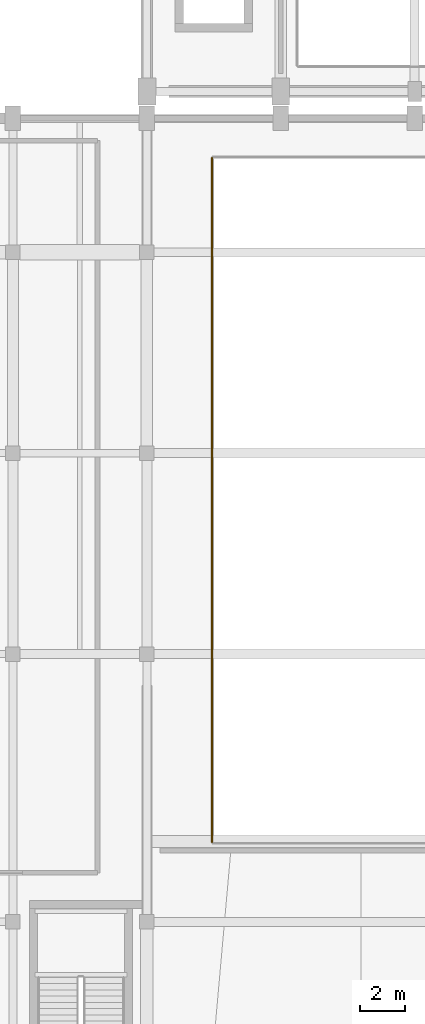
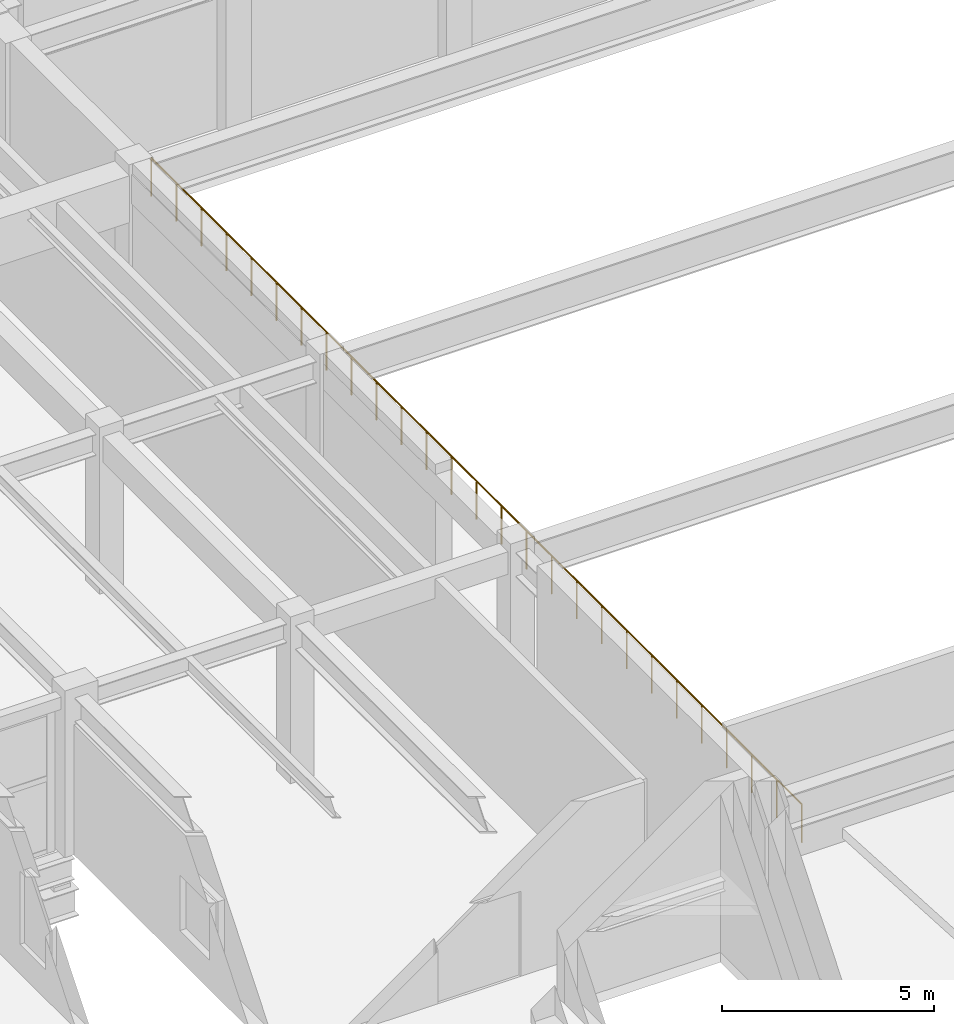
# One storey, part 78 of 85: 1 railing.
"""IFC4 building model written with IfcOpenShell, lengths in metres."""

from ifc_helpers import new_model, si_unit, direction, frame, origin, origin_2d, place, context, subcontext, project, spatial, circle, extrude, material, type_object, element, save


model = new_model("IFC4")

# Units and contexts
model_context = context("Model", 3, precision=1e-05, world=origin(), true_north=direction((0.0, 1.0)))
body_context = subcontext(model_context, "Body", "Model", "MODEL_VIEW")
ifc_project = project(units=[si_unit("LENGTHUNIT", "METRE"), si_unit("AREAUNIT", "SQUARE_METRE"), si_unit("VOLUMEUNIT", "CUBIC_METRE"), si_unit("PLANEANGLEUNIT", "RADIAN"), si_unit("MASSUNIT", "GRAM", prefix="KILO")], contexts=[model_context])

# Site, building, storey
site_placement = place(None, origin())
site = spatial("IfcSite", under=ifc_project, at=site_placement, CompositionType="ELEMENT")
building_placement = place(site_placement, origin())
building = spatial("IfcBuilding", under=site, at=building_placement, Name="Vaelkrest Opera House", CompositionType="ELEMENT")
storey_placement = place(building_placement, frame((0.0, 0.0, 10.199951171875)))
storey = spatial("IfcBuildingStorey", under=building, at=storey_placement, Name="L02", CompositionType="ELEMENT", Elevation=10.199951171875)

# Railing
ifc_material = material(Name="Dark bronze anodized aluminium", Category="aluminium")
railing_type = type_object("IfcRailingType", Name="BL01", PredefinedType="BALUSTRADE", material=ifc_material)
railing_placement = place(storey_placement, frame((-15.080078125, 14.43994140625, 0.0)))
element("IfcRailing", 1, at=railing_placement, inside=storey, type_object=railing_type, Name="Atrium/stage void guard V1 L02-1 seg 4", PredefinedType="BALUSTRADE", context=body_context, shape_type="SweptSolid", body=[
    extrude(circle(Radius=0.02392578125, at=origin_2d()), frame((0.0, 0.0, 1.09619140625), z_axis=(0.0, -1.0, 0.0), x_axis=(1.0, 0.0, 0.0)), (0.0, 0.0, 1.0), 30.679931640625),
    extrude(circle(Radius=0.02099609375, at=origin_2d()), origin(), (0.0, 0.0, 1.0), 1.072021484375),
    extrude(circle(Radius=0.02099609375, at=origin_2d()), frame((0.0, -1.179931640625, 0.0)), (0.0, 0.0, 1.0), 1.072021484375),
    extrude(circle(Radius=0.02099609375, at=origin_2d()), frame((0.0, -2.360107421875, 0.0)), (0.0, 0.0, 1.0), 1.072021484375),
    extrude(circle(Radius=0.02099609375, at=origin_2d()), frame((0.0, -3.5400390625, 0.0)), (0.0, 0.0, 1.0), 1.072021484375),
    extrude(circle(Radius=0.02099609375, at=origin_2d()), frame((0.0, -4.719970703125, 0.0)), (0.0, 0.0, 1.0), 1.072021484375),
    extrude(circle(Radius=0.02099609375, at=origin_2d()), frame((0.0, -5.89990234375, 0.0)), (0.0, 0.0, 1.0), 1.072021484375),
    extrude(circle(Radius=0.02099609375, at=origin_2d()), frame((0.0, -7.080078125, 0.0)), (0.0, 0.0, 1.0), 1.072021484375),
    extrude(circle(Radius=0.02099609375, at=origin_2d()), frame((0.0, -8.260009765625, 0.0)), (0.0, 0.0, 1.0), 1.072021484375),
    extrude(circle(Radius=0.02099609375, at=origin_2d()), frame((0.0, -9.43994140625, 0.0)), (0.0, 0.0, 1.0), 1.072021484375),
    extrude(circle(Radius=0.02099609375, at=origin_2d()), frame((0.0, -10.619873046875, 0.0)), (0.0, 0.0, 1.0), 1.072021484375),
    extrude(circle(Radius=0.02099609375, at=origin_2d()), frame((0.0, -11.800048828125, 0.0)), (0.0, 0.0, 1.0), 1.072021484375),
    extrude(circle(Radius=0.02099609375, at=origin_2d()), frame((0.0, -12.97998046875, 0.0)), (0.0, 0.0, 1.0), 1.072021484375),
    extrude(circle(Radius=0.02099609375, at=origin_2d()), frame((0.0, -14.159912109375, 0.0)), (0.0, 0.0, 1.0), 1.072021484375),
    extrude(circle(Radius=0.02099609375, at=origin_2d()), frame((0.0, -15.33984375, 0.0)), (0.0, 0.0, 1.0), 1.072021484375),
    extrude(circle(Radius=0.02099609375, at=origin_2d()), frame((0.0, -16.52001953125, 0.0)), (0.0, 0.0, 1.0), 1.072021484375),
    extrude(circle(Radius=0.02099609375, at=origin_2d()), frame((0.0, -17.699951171875, 0.0)), (0.0, 0.0, 1.0), 1.072021484375),
    extrude(circle(Radius=0.02099609375, at=origin_2d()), frame((0.0, -18.8798828125, 0.0)), (0.0, 0.0, 1.0), 1.072021484375),
    extrude(circle(Radius=0.02099609375, at=origin_2d()), frame((0.0, -20.06005859375, 0.0)), (0.0, 0.0, 1.0), 1.072021484375),
    extrude(circle(Radius=0.02099609375, at=origin_2d()), frame((0.0, -21.239990234375, 0.0)), (0.0, 0.0, 1.0), 1.072021484375),
    extrude(circle(Radius=0.02099609375, at=origin_2d()), frame((0.0, -22.419921875, 0.0)), (0.0, 0.0, 1.0), 1.072021484375),
    extrude(circle(Radius=0.02099609375, at=origin_2d()), frame((0.0, -23.599853515625, 0.0)), (0.0, 0.0, 1.0), 1.072021484375),
    extrude(circle(Radius=0.02099609375, at=origin_2d()), frame((0.0, -24.780029296875, 0.0)), (0.0, 0.0, 1.0), 1.072021484375),
    extrude(circle(Radius=0.02099609375, at=origin_2d()), frame((0.0, -25.9599609375, 0.0)), (0.0, 0.0, 1.0), 1.072021484375),
    extrude(circle(Radius=0.02099609375, at=origin_2d()), frame((0.0, -27.139892578125, 0.0)), (0.0, 0.0, 1.0), 1.072021484375),
    extrude(circle(Radius=0.02099609375, at=origin_2d()), frame((0.0, -28.31982421875, 0.0)), (0.0, 0.0, 1.0), 1.072021484375),
    extrude(circle(Radius=0.02099609375, at=origin_2d()), frame((0.0, -29.5, 0.0)), (0.0, 0.0, 1.0), 1.072021484375),
    extrude(circle(Radius=0.02099609375, at=origin_2d()), frame((0.0, -30.679931640625, 0.0)), (0.0, 0.0, 1.0), 1.072021484375),
])

save(model, "model.ifc")
